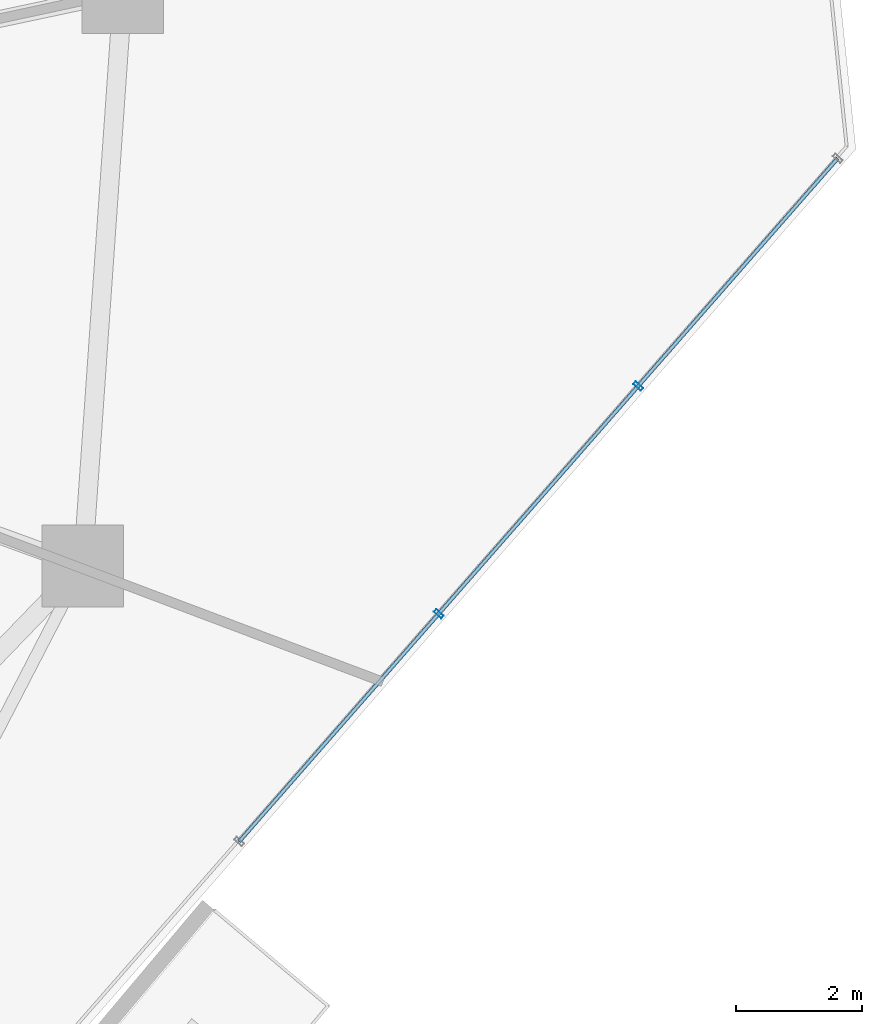
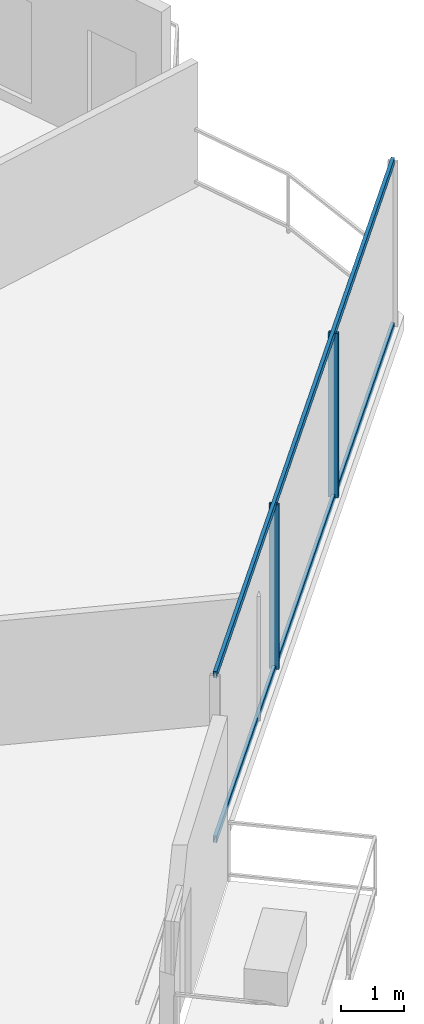
# One storey, part 14 of 33: 4 members, 1 element without a shape of its own.
"""IFC4 building model written with IfcOpenShell, lengths in metres."""

from ifc_helpers import new_model, si_unit, direction, frame, origin, origin_2d, place, context, subcontext, project, spatial, hollow_rectangle, extrude, material, layer, layer_set, material_profile, profile_set, type_object, element, aggregate, save


model = new_model("IFC4")

# Units and contexts
model_context = context("Model", 3, precision=1e-05, world=origin(), true_north=direction((0.0, 1.0)))
body_context = subcontext(model_context, "Body", "Model", "MODEL_VIEW")
ifc_project = project(units=[si_unit("LENGTHUNIT", "METRE"), si_unit("AREAUNIT", "SQUARE_METRE"), si_unit("VOLUMEUNIT", "CUBIC_METRE"), si_unit("PLANEANGLEUNIT", "RADIAN"), si_unit("MASSUNIT", "GRAM", prefix="KILO")], contexts=[model_context])

# Site, building, storey
site_placement = place(None, origin())
site = spatial("IfcSite", under=ifc_project, at=site_placement, CompositionType="ELEMENT")
building_placement = place(site_placement, origin())
building = spatial("IfcBuilding", under=site, at=building_placement, Name="Qarnah Convention Tower", CompositionType="ELEMENT")
storey_placement = place(building_placement, frame((0.0, 0.0, 30.449951171875)))
storey = spatial("IfcBuildingStorey", under=building, at=storey_placement, Name="L06", CompositionType="ELEMENT", Elevation=30.449951171875)

# Curtain wall, members
ifc_material_1 = material(Name="Tempered Low-E dark glass", Category="glass")
ifc_layer = layer(ifc_material_1, 0.16796875)
ifc_layer_set = layer_set([ifc_layer], Name="Tempered Low-E dark glass")
curtain_wall_type = type_object("IfcCurtainWallType", Name="CWS-01", PredefinedType="NOTDEFINED", material=ifc_layer_set)
curtain_wall_placement = place(storey_placement, origin())
curtain_wall = element("IfcCurtainWall", 1, at=curtain_wall_placement, inside=storey, type_object=curtain_wall_type, Name="L06 unitised curtain wall CW-L06-F3", PredefinedType="NOTDEFINED")
ifc_material_2 = material(Name="Black anodised aluminium", Category="aluminium")
ifc_material_profile_1 = material_profile(ifc_material_2, hollow_rectangle(XDim=0.06005859375, YDim=0.159912109375, WallThickness=0.00390625, at=origin_2d()), Name="MUL-60X160")
ifc_profile_set_1 = profile_set([ifc_material_profile_1], Name="Black anodised aluminium")
member_type_1 = type_object("IfcMemberType", Name="MUL-T1", PredefinedType="MULLION", material=ifc_profile_set_1)
member_1_placement = place(storey_placement, frame((61.57177734375, 23.5947265625, 0.0), z_axis=(0.0, 0.0, 1.0), x_axis=(-0.658980576102, -0.752159956606, 0.0)))
member_1 = element("IfcMember", 2, at=member_1_placement, type_object=member_type_1, Name="CW-L06-F3 mullion 2", PredefinedType="MULLION", context=body_context, shape_type="SweptSolid", body=[
    extrude(hollow_rectangle(XDim=0.06005859375, YDim=0.159912109375, WallThickness=0.00390625, at=origin_2d()), origin(), (0.0, 0.0, 1.0), 3.170166015625),
])
member_2_placement = place(storey_placement, frame((58.4033203125, 19.978271484375, 0.0), z_axis=(0.0, 0.0, 1.0), x_axis=(-0.658980576102, -0.752159956606, 0.0)))
member_2 = element("IfcMember", 3, at=member_2_placement, type_object=member_type_1, Name="CW-L06-F3 mullion 3", PredefinedType="MULLION", context=body_context, shape_type="SweptSolid", body=[
    extrude(hollow_rectangle(XDim=0.06005859375, YDim=0.159912109375, WallThickness=0.00390625, at=origin_2d()), origin(), (0.0, 0.0, 1.0), 3.170166015625),
])
ifc_material_profile_2 = material_profile(ifc_material_2, hollow_rectangle(XDim=0.06005859375, YDim=0.1298828125, WallThickness=0.00390625, at=origin_2d()), Name="TRN-60X130")
ifc_profile_set_2 = profile_set([ifc_material_profile_2], Name="Black anodised aluminium")
member_type_2 = type_object("IfcMemberType", Name="TRN-T1", PredefinedType="USERDEFINED", material=ifc_profile_set_2)
member_3_placement = place(storey_placement, frame((64.739990234375, 27.2109375, 0.0), z_axis=(-0.658980214152, -0.752160273715, 0.0), x_axis=(0.752160273715, -0.658980214152, 0.0)))
member_3 = element("IfcMember", 4, at=member_3_placement, type_object=member_type_2, Name="CW-L06-F3 transom 1", ObjectType="TRANSOM", PredefinedType="USERDEFINED", context=body_context, shape_type="SweptSolid", body=[
    extrude(hollow_rectangle(XDim=0.06005859375, YDim=0.1298828125, WallThickness=0.00390625, at=origin_2d()), origin(), (0.0, 0.0, 1.0), 14.423583984375),
])
member_4_placement = place(storey_placement, frame((64.739990234375, 27.2109375, 3.170166015625), z_axis=(-0.658980214152, -0.752160273715, 0.0), x_axis=(0.752160273715, -0.658980214152, 0.0)))
member_4 = element("IfcMember", 5, at=member_4_placement, type_object=member_type_2, Name="CW-L06-F3 transom 2", ObjectType="TRANSOM", PredefinedType="USERDEFINED", context=body_context, shape_type="SweptSolid", body=[
    extrude(hollow_rectangle(XDim=0.06005859375, YDim=0.1298828125, WallThickness=0.00390625, at=origin_2d()), origin(), (0.0, 0.0, 1.0), 14.423583984375),
])
aggregate(curtain_wall, [member_1, member_2, member_3, member_4])

save(model, "model.ifc")
